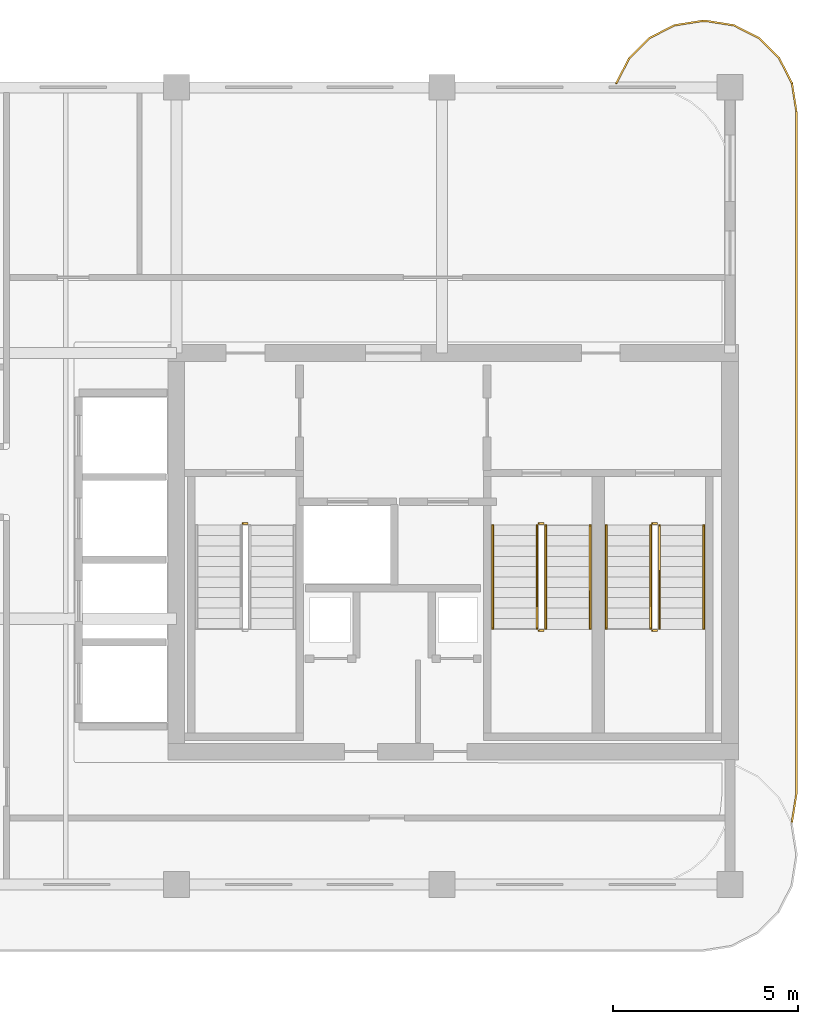
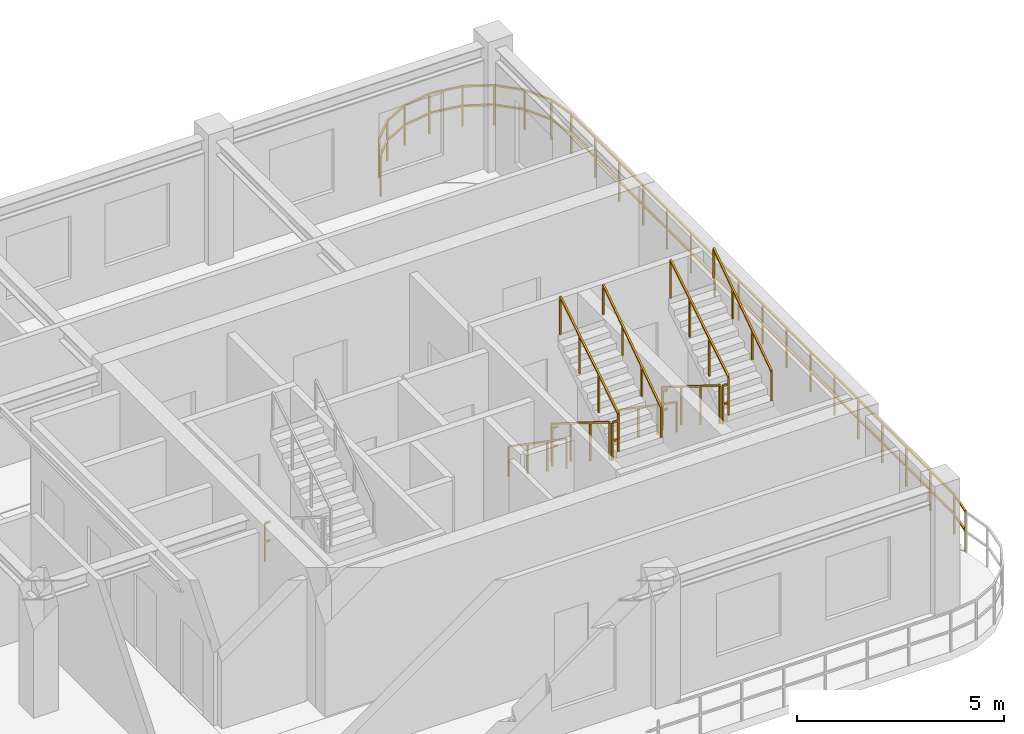
# One storey, part 7 of 7: 14 railings.
"""IFC4 building model written with IfcOpenShell, lengths in metres."""

from ifc_helpers import new_model, si_unit, derived_unit, direction, frame, origin, origin_2d, place, context, subcontext, project, spatial, rectangle, extrude, material, type_object, element, save


model = new_model("IFC4")

# Units and contexts
model_context = context("Model", 3, precision=1e-05, world=origin(), true_north=direction((0.0, 1.0)))
body_context = subcontext(model_context, "Body", "Model", "MODEL_VIEW")
ifc_project = project(units=[si_unit("LENGTHUNIT", "METRE"), si_unit("AREAUNIT", "SQUARE_METRE"), si_unit("VOLUMEUNIT", "CUBIC_METRE"), si_unit("PLANEANGLEUNIT", "RADIAN"), si_unit("MASSUNIT", "GRAM", prefix="KILO"), si_unit("THERMODYNAMICTEMPERATUREUNIT", "KELVIN"), si_unit("POWERUNIT", "WATT"), derived_unit("THERMALTRANSMITTANCEUNIT", [(si_unit("POWERUNIT", "WATT"), 1), (si_unit("AREAUNIT", "SQUARE_METRE"), -1), (si_unit("THERMODYNAMICTEMPERATUREUNIT", "KELVIN"), -1)])], contexts=[model_context])

# Site, building, storey
site_placement = place(None, origin())
site = spatial("IfcSite", under=ifc_project, at=site_placement, CompositionType="ELEMENT")
building_placement = place(site_placement, origin())
building = spatial("IfcBuilding", under=site, at=building_placement, Name="Zahravan Archway Hotel and Residences", CompositionType="ELEMENT")
storey_placement = place(building_placement, frame((0.0, 0.0, 275.050048828125)))
storey = spatial("IfcBuildingStorey", under=building, at=storey_placement, Name="L69", CompositionType="ELEMENT", Elevation=275.050048828125)

# Railings
ifc_material_1 = material(Name="Bronze & Laminated Glass Balustrade", Category="glass")
railing_type_1 = type_object("IfcRailingType", Name="RL-BAL-1200", PredefinedType="BALUSTRADE", material=ifc_material_1)
railing_1_placement = place(storey_placement, frame((46.719970703125, 21.70703125, 0.0)))
element("IfcRailing", 1, at=railing_1_placement, inside=storey, type_object=railing_type_1, Name="L69 Balustrade RL-SLB-BAL-L69-EA-1", PredefinedType="BALUSTRADE", context=body_context, shape_type="SweptSolid", body=[
    extrude(rectangle(XDim=0.048095703125, YDim=0.048095703125, at=origin_2d()), frame((0.0, 0.0, 1.17578125), z_axis=(0.453825591531, 0.891090529897, 0.0), x_axis=(-0.891090529897, 0.453825591531, 0.0)), (0.0, 0.0, 1.0), 0.7666015625),
    extrude(rectangle(XDim=0.048095703125, YDim=0.048095703125, at=origin_2d()), frame((0.0, 0.0, 0.60009765625), z_axis=(0.453825591531, 0.891090529897, 0.0), x_axis=(-0.891090529897, 0.453825591531, 0.0)), (0.0, 0.0, 1.0), 0.7666015625),
    extrude(rectangle(XDim=0.048095703125, YDim=0.048095703125, at=origin_2d()), frame((0.347900390625, 0.68310546875, 1.17578125), z_axis=(0.707106781187, 0.707106781187, 0.0), x_axis=(-0.707106781187, 0.707106781187, 0.0)), (0.0, 0.0, 1.0), 0.7666015625),
    extrude(rectangle(XDim=0.048095703125, YDim=0.048095703125, at=origin_2d()), frame((0.347900390625, 0.68310546875, 0.60009765625), z_axis=(0.707106781187, 0.707106781187, 0.0), x_axis=(-0.707106781187, 0.707106781187, 0.0)), (0.0, 0.0, 1.0), 0.7666015625),
    extrude(rectangle(XDim=0.048095703125, YDim=0.048095703125, at=origin_2d()), frame((0.889892578125, 1.22509765625, 1.17578125), z_axis=(0.891090529897, 0.453825591531, 0.0), x_axis=(-0.453825591531, 0.891090529897, 0.0)), (0.0, 0.0, 1.0), 0.7666015625),
    extrude(rectangle(XDim=0.048095703125, YDim=0.048095703125, at=origin_2d()), frame((0.889892578125, 1.22509765625, 0.60009765625), z_axis=(0.891090529897, 0.453825591531, 0.0), x_axis=(-0.453825591531, 0.891090529897, 0.0)), (0.0, 0.0, 1.0), 0.7666015625),
    extrude(rectangle(XDim=0.048095703125, YDim=0.048095703125, at=origin_2d()), frame((1.572998046875, 1.572998046875, 1.17578125), z_axis=(0.987695728695, 0.156387811283, 0.0), x_axis=(-0.156387811283, 0.987695728695, 0.0)), (0.0, 0.0, 1.0), 0.7666015625),
    extrude(rectangle(XDim=0.048095703125, YDim=0.048095703125, at=origin_2d()), frame((1.572998046875, 1.572998046875, 0.60009765625), z_axis=(0.987695728695, 0.156387811283, 0.0), x_axis=(-0.156387811283, 0.987695728695, 0.0)), (0.0, 0.0, 1.0), 0.7666015625),
    extrude(rectangle(XDim=0.048095703125, YDim=0.048095703125, at=origin_2d()), frame((2.330078125, 1.69287109375, 1.17578125), z_axis=(1.0, 0.0, 0.0), x_axis=(0.0, 1.0, 0.0)), (0.0, 0.0, 1.0), 0.099853515625),
    extrude(rectangle(XDim=0.048095703125, YDim=0.048095703125, at=origin_2d()), frame((2.330078125, 1.69287109375, 0.60009765625), z_axis=(1.0, 0.0, 0.0), x_axis=(0.0, 1.0, 0.0)), (0.0, 0.0, 1.0), 0.099853515625),
    extrude(rectangle(XDim=0.048095703125, YDim=0.048095703125, at=origin_2d()), frame((2.429931640625, 1.69287109375, 1.17578125), z_axis=(0.987695728695, -0.156387811283, 0.0), x_axis=(0.156387811283, 0.987695728695, 0.0)), (0.0, 0.0, 1.0), 0.7666015625),
    extrude(rectangle(XDim=0.048095703125, YDim=0.048095703125, at=origin_2d()), frame((2.429931640625, 1.69287109375, 0.60009765625), z_axis=(0.987695728695, -0.156387811283, 0.0), x_axis=(0.156387811283, 0.987695728695, 0.0)), (0.0, 0.0, 1.0), 0.7666015625),
    extrude(rectangle(XDim=0.048095703125, YDim=0.048095703125, at=origin_2d()), frame((3.18701171875, 1.572998046875, 1.17578125), z_axis=(0.891090529897, -0.453825591531, 0.0), x_axis=(0.453825591531, 0.891090529897, 0.0)), (0.0, 0.0, 1.0), 0.7666015625),
    extrude(rectangle(XDim=0.048095703125, YDim=0.048095703125, at=origin_2d()), frame((3.18701171875, 1.572998046875, 0.60009765625), z_axis=(0.891090529897, -0.453825591531, 0.0), x_axis=(0.453825591531, 0.891090529897, 0.0)), (0.0, 0.0, 1.0), 0.7666015625),
    extrude(rectangle(XDim=0.048095703125, YDim=0.048095703125, at=origin_2d()), frame((3.8701171875, 1.22509765625, 1.17578125), z_axis=(0.707106781187, -0.707106781187, 0.0), x_axis=(0.707106781187, 0.707106781187, 0.0)), (0.0, 0.0, 1.0), 0.7666015625),
    extrude(rectangle(XDim=0.048095703125, YDim=0.048095703125, at=origin_2d()), frame((3.8701171875, 1.22509765625, 0.60009765625), z_axis=(0.707106781187, -0.707106781187, 0.0), x_axis=(0.707106781187, 0.707106781187, 0.0)), (0.0, 0.0, 1.0), 0.7666015625),
    extrude(rectangle(XDim=0.048095703125, YDim=0.048095703125, at=origin_2d()), frame((4.412109375, 0.68310546875, 1.17578125), z_axis=(0.453825591531, -0.891090529897, 0.0), x_axis=(0.891090529897, 0.453825591531, 0.0)), (0.0, 0.0, 1.0), 0.7666015625),
    extrude(rectangle(XDim=0.048095703125, YDim=0.048095703125, at=origin_2d()), frame((4.412109375, 0.68310546875, 0.60009765625), z_axis=(0.453825591531, -0.891090529897, 0.0), x_axis=(0.891090529897, 0.453825591531, 0.0)), (0.0, 0.0, 1.0), 0.7666015625),
    extrude(rectangle(XDim=0.048095703125, YDim=0.048095703125, at=origin_2d()), frame((4.760009765625, 0.0, 1.17578125), z_axis=(0.156698507018, -0.987646484274, 0.0), x_axis=(0.987646484274, 0.156698507018, 0.0)), (0.0, 0.0, 1.0), 0.7666015625),
    extrude(rectangle(XDim=0.048095703125, YDim=0.048095703125, at=origin_2d()), frame((4.760009765625, 0.0, 0.60009765625), z_axis=(0.156698507018, -0.987646484274, 0.0), x_axis=(0.987646484274, 0.156698507018, 0.0)), (0.0, 0.0, 1.0), 0.7666015625),
    extrude(rectangle(XDim=0.048095703125, YDim=0.048095703125, at=origin_2d()), frame((4.880126953125, -0.757080078125, 1.17578125), z_axis=(0.0, -1.0, 0.0), x_axis=(1.0, 0.0, 0.0)), (0.0, 0.0, 1.0), 18.5),
    extrude(rectangle(XDim=0.048095703125, YDim=0.048095703125, at=origin_2d()), frame((4.880126953125, -0.757080078125, 0.60009765625), z_axis=(0.0, -1.0, 0.0), x_axis=(1.0, 0.0, 0.0)), (0.0, 0.0, 1.0), 18.5),
    extrude(rectangle(XDim=0.048095703125, YDim=0.048095703125, at=origin_2d()), frame((4.880126953125, -19.257080078125, 1.17578125), z_axis=(-0.156698507018, -0.987646484274, 0.0), x_axis=(0.987646484274, -0.156698507018, 0.0)), (0.0, 0.0, 1.0), 0.7666015625),
    extrude(rectangle(XDim=0.048095703125, YDim=0.048095703125, at=origin_2d()), frame((4.880126953125, -19.257080078125, 0.60009765625), z_axis=(-0.156698507018, -0.987646484274, 0.0), x_axis=(0.987646484274, -0.156698507018, 0.0)), (0.0, 0.0, 1.0), 0.7666015625),
    extrude(rectangle(XDim=0.0419921875, YDim=0.0419921875, at=origin_2d()), origin(), (0.0, 0.0, 1.0), 1.15185546875),
    extrude(rectangle(XDim=0.0419921875, YDim=0.0419921875, at=origin_2d()), frame((0.347900390625, 0.68310546875, 0.0)), (0.0, 0.0, 1.0), 1.15185546875),
    extrude(rectangle(XDim=0.0419921875, YDim=0.0419921875, at=origin_2d()), frame((0.889892578125, 1.22509765625, 0.0)), (0.0, 0.0, 1.0), 1.15185546875),
    extrude(rectangle(XDim=0.0419921875, YDim=0.0419921875, at=origin_2d()), frame((1.572998046875, 1.572998046875, 0.0)), (0.0, 0.0, 1.0), 1.15185546875),
    extrude(rectangle(XDim=0.0419921875, YDim=0.0419921875, at=origin_2d()), frame((2.330078125, 1.69287109375, 0.0)), (0.0, 0.0, 1.0), 1.15185546875),
    extrude(rectangle(XDim=0.0419921875, YDim=0.0419921875, at=origin_2d()), frame((3.18701171875, 1.572998046875, 0.0)), (0.0, 0.0, 1.0), 1.15185546875),
    extrude(rectangle(XDim=0.0419921875, YDim=0.0419921875, at=origin_2d()), frame((3.8701171875, 1.22509765625, 0.0)), (0.0, 0.0, 1.0), 1.15185546875),
    extrude(rectangle(XDim=0.0419921875, YDim=0.0419921875, at=origin_2d()), frame((4.412109375, 0.68310546875, 0.0)), (0.0, 0.0, 1.0), 1.15185546875),
    extrude(rectangle(XDim=0.0419921875, YDim=0.0419921875, at=origin_2d()), frame((4.760009765625, 0.0, 0.0)), (0.0, 0.0, 1.0), 1.15185546875),
    extrude(rectangle(XDim=0.0419921875, YDim=0.0419921875, at=origin_2d()), frame((4.880126953125, -0.757080078125, 0.0)), (0.0, 0.0, 1.0), 1.15185546875),
    extrude(rectangle(XDim=0.0419921875, YDim=0.0419921875, at=origin_2d()), frame((4.880126953125, -1.913330078125, 0.0)), (0.0, 0.0, 1.0), 1.15185546875),
    extrude(rectangle(XDim=0.0419921875, YDim=0.0419921875, at=origin_2d()), frame((4.880126953125, -3.069580078125, 0.0)), (0.0, 0.0, 1.0), 1.15185546875),
    extrude(rectangle(XDim=0.0419921875, YDim=0.0419921875, at=origin_2d()), frame((4.880126953125, -4.225830078125, 0.0)), (0.0, 0.0, 1.0), 1.15185546875),
    extrude(rectangle(XDim=0.0419921875, YDim=0.0419921875, at=origin_2d()), frame((4.880126953125, -5.382080078125, 0.0)), (0.0, 0.0, 1.0), 1.15185546875),
    extrude(rectangle(XDim=0.0419921875, YDim=0.0419921875, at=origin_2d()), frame((4.880126953125, -6.538330078125, 0.0)), (0.0, 0.0, 1.0), 1.15185546875),
    extrude(rectangle(XDim=0.0419921875, YDim=0.0419921875, at=origin_2d()), frame((4.880126953125, -7.694580078125, 0.0)), (0.0, 0.0, 1.0), 1.15185546875),
    extrude(rectangle(XDim=0.0419921875, YDim=0.0419921875, at=origin_2d()), frame((4.880126953125, -8.850830078125, 0.0)), (0.0, 0.0, 1.0), 1.15185546875),
    extrude(rectangle(XDim=0.0419921875, YDim=0.0419921875, at=origin_2d()), frame((4.880126953125, -10.007080078125, 0.0)), (0.0, 0.0, 1.0), 1.15185546875),
    extrude(rectangle(XDim=0.0419921875, YDim=0.0419921875, at=origin_2d()), frame((4.880126953125, -11.163330078125, 0.0)), (0.0, 0.0, 1.0), 1.15185546875),
    extrude(rectangle(XDim=0.0419921875, YDim=0.0419921875, at=origin_2d()), frame((4.880126953125, -12.319580078125, 0.0)), (0.0, 0.0, 1.0), 1.15185546875),
    extrude(rectangle(XDim=0.0419921875, YDim=0.0419921875, at=origin_2d()), frame((4.880126953125, -13.475830078125, 0.0)), (0.0, 0.0, 1.0), 1.15185546875),
    extrude(rectangle(XDim=0.0419921875, YDim=0.0419921875, at=origin_2d()), frame((4.880126953125, -14.632080078125, 0.0)), (0.0, 0.0, 1.0), 1.15185546875),
    extrude(rectangle(XDim=0.0419921875, YDim=0.0419921875, at=origin_2d()), frame((4.880126953125, -15.788330078125, 0.0)), (0.0, 0.0, 1.0), 1.15185546875),
    extrude(rectangle(XDim=0.0419921875, YDim=0.0419921875, at=origin_2d()), frame((4.880126953125, -16.944580078125, 0.0)), (0.0, 0.0, 1.0), 1.15185546875),
    extrude(rectangle(XDim=0.0419921875, YDim=0.0419921875, at=origin_2d()), frame((4.880126953125, -18.100830078125, 0.0)), (0.0, 0.0, 1.0), 1.15185546875),
    extrude(rectangle(XDim=0.0419921875, YDim=0.0419921875, at=origin_2d()), frame((4.880126953125, -19.257080078125, 0.0)), (0.0, 0.0, 1.0), 1.15185546875),
    extrude(rectangle(XDim=0.0419921875, YDim=0.0419921875, at=origin_2d()), frame((4.760009765625, -20.01416015625, 0.0)), (0.0, 0.0, 1.0), 1.15185546875),
])
ifc_material_2 = material(Name="Painted Tubular Steel", Category="steel")
railing_type_2 = type_object("IfcRailingType", Name="RL-STG-1150", PredefinedType="GUARDRAIL", material=ifc_material_2)
railing_2_placement = place(storey_placement, frame((36.60009765625, 9.780029296875, 0.0)))
element("IfcRailing", 2, at=railing_2_placement, inside=storey, type_object=railing_type_2, Name="L69 ST-A1 stair guard 4", PredefinedType="GUARDRAIL", context=body_context, shape_type="SweptSolid", body=[
    extrude(rectangle(XDim=0.048095703125, YDim=0.048095703125, at=origin_2d()), frame((0.0, 0.0, 1.1259765625), z_axis=(1.0, 0.0, 0.0), x_axis=(0.0, 1.0, 0.0)), (0.0, 0.0, 1.0), 0.139892578125),
    extrude(rectangle(XDim=0.048095703125, YDim=0.048095703125, at=origin_2d()), frame((0.0, 0.0, 0.574951171875), z_axis=(1.0, 0.0, 0.0), x_axis=(0.0, 1.0, 0.0)), (0.0, 0.0, 1.0), 0.139892578125),
    extrude(rectangle(XDim=0.0419921875, YDim=0.0419921875, at=origin_2d()), origin(), (0.0, 0.0, 1.0), 1.101806640625),
])
railing_3_placement = place(storey_placement, frame((44.570068359375, 9.72998046875, 0.175048828125)))
element("IfcRailing", 3, at=railing_3_placement, inside=storey, type_object=railing_type_2, Name="L69 ST-A2 stair guard 1", PredefinedType="GUARDRAIL", context=body_context, shape_type="SweptSolid", body=[
    extrude(rectangle(XDim=0.048095703125, YDim=0.048095703125, at=origin_2d()), frame((0.0, 0.0, 1.1259765625), z_axis=(0.0, -0.848002457836, 0.529992293815), x_axis=(1.0, 0.0, 0.0)), (0.0, 0.0, 1.0), 3.302001953125),
    extrude(rectangle(XDim=0.0419921875, YDim=0.0419921875, at=origin_2d()), origin(), (0.0, 0.0, 1.0), 1.101806640625),
    extrude(rectangle(XDim=0.0419921875, YDim=0.0419921875, at=origin_2d()), frame((0.0, -0.933349609375, 0.583251953125)), (0.0, 0.0, 1.0), 1.101806640625),
    extrude(rectangle(XDim=0.0419921875, YDim=0.0419921875, at=origin_2d()), frame((0.0, -1.86669921875, 1.166748046875)), (0.0, 0.0, 1.0), 1.101806640625),
    extrude(rectangle(XDim=0.0419921875, YDim=0.0419921875, at=origin_2d()), frame((0.0, -2.800048828125, 1.75)), (0.0, 0.0, 1.0), 1.101806640625),
])
railing_4_placement = place(storey_placement, frame((44.6201171875, 6.8798828125, 1.925048828125)))
element("IfcRailing", 4, at=railing_4_placement, inside=storey, type_object=railing_type_2, Name="L69 ST-A2 stair guard 2", PredefinedType="GUARDRAIL", context=body_context, shape_type="SweptSolid", body=[
    extrude(rectangle(XDim=0.048095703125, YDim=0.048095703125, at=origin_2d()), frame((0.0, 0.0, 1.1259765625), z_axis=(1.0, 0.0, 0.0), x_axis=(0.0, 1.0, 0.0)), (0.0, 0.0, 1.0), 0.139892578125),
    extrude(rectangle(XDim=0.048095703125, YDim=0.048095703125, at=origin_2d()), frame((0.0, 0.0, 0.574951171875), z_axis=(1.0, 0.0, 0.0), x_axis=(0.0, 1.0, 0.0)), (0.0, 0.0, 1.0), 0.139892578125),
    extrude(rectangle(XDim=0.0419921875, YDim=0.0419921875, at=origin_2d()), origin(), (0.0, 0.0, 1.0), 1.101806640625),
])
railing_5_placement = place(storey_placement, frame((44.81005859375, 6.929931640625, 2.099853515625)))
element("IfcRailing", 5, at=railing_5_placement, inside=storey, type_object=railing_type_2, Name="L69 ST-A2 stair guard 3", PredefinedType="GUARDRAIL", context=body_context, shape_type="SweptSolid", body=[
    extrude(rectangle(XDim=0.048095703125, YDim=0.048095703125, at=origin_2d()), frame((0.0, 0.0, 1.1259765625), z_axis=(0.0, 0.848002457836, 0.529992293815), x_axis=(-1.0, 0.0, 0.0)), (0.0, 0.0, 1.0), 3.302001953125),
    extrude(rectangle(XDim=0.0419921875, YDim=0.0419921875, at=origin_2d()), origin(), (0.0, 0.0, 1.0), 1.101806640625),
    extrude(rectangle(XDim=0.0419921875, YDim=0.0419921875, at=origin_2d()), frame((0.0, 0.933349609375, 0.583251953125)), (0.0, 0.0, 1.0), 1.101806640625),
    extrude(rectangle(XDim=0.0419921875, YDim=0.0419921875, at=origin_2d()), frame((0.0, 1.86669921875, 1.166748046875)), (0.0, 0.0, 1.0), 1.101806640625),
    extrude(rectangle(XDim=0.0419921875, YDim=0.0419921875, at=origin_2d()), frame((0.0, 2.800048828125, 1.75)), (0.0, 0.0, 1.0), 1.101806640625),
])
railing_6_placement = place(storey_placement, frame((44.6201171875, 9.780029296875, 0.0)))
element("IfcRailing", 6, at=railing_6_placement, inside=storey, type_object=railing_type_2, Name="L69 ST-A2 stair guard 4", PredefinedType="GUARDRAIL", context=body_context, shape_type="SweptSolid", body=[
    extrude(rectangle(XDim=0.048095703125, YDim=0.048095703125, at=origin_2d()), frame((0.0, 0.0, 1.1259765625), z_axis=(1.0, 0.0, 0.0), x_axis=(0.0, 1.0, 0.0)), (0.0, 0.0, 1.0), 0.139892578125),
    extrude(rectangle(XDim=0.048095703125, YDim=0.048095703125, at=origin_2d()), frame((0.0, 0.0, 0.574951171875), z_axis=(1.0, 0.0, 0.0), x_axis=(0.0, 1.0, 0.0)), (0.0, 0.0, 1.0), 0.139892578125),
    extrude(rectangle(XDim=0.0419921875, YDim=0.0419921875, at=origin_2d()), origin(), (0.0, 0.0, 1.0), 1.101806640625),
])
railing_7_placement = place(storey_placement, frame((47.64990234375, 9.72998046875, 0.175048828125)))
element("IfcRailing", 7, at=railing_7_placement, inside=storey, type_object=railing_type_2, Name="L69 ST-A3 stair guard 1", PredefinedType="GUARDRAIL", context=body_context, shape_type="SweptSolid", body=[
    extrude(rectangle(XDim=0.048095703125, YDim=0.048095703125, at=origin_2d()), frame((0.0, 0.0, 1.1259765625), z_axis=(0.0, -0.848002457836, 0.529992293815), x_axis=(1.0, 0.0, 0.0)), (0.0, 0.0, 1.0), 3.302001953125),
    extrude(rectangle(XDim=0.0419921875, YDim=0.0419921875, at=origin_2d()), origin(), (0.0, 0.0, 1.0), 1.101806640625),
    extrude(rectangle(XDim=0.0419921875, YDim=0.0419921875, at=origin_2d()), frame((0.0, -0.933349609375, 0.583251953125)), (0.0, 0.0, 1.0), 1.101806640625),
    extrude(rectangle(XDim=0.0419921875, YDim=0.0419921875, at=origin_2d()), frame((0.0, -1.86669921875, 1.166748046875)), (0.0, 0.0, 1.0), 1.101806640625),
    extrude(rectangle(XDim=0.0419921875, YDim=0.0419921875, at=origin_2d()), frame((0.0, -2.800048828125, 1.75)), (0.0, 0.0, 1.0), 1.101806640625),
])
railing_8_placement = place(storey_placement, frame((47.699951171875, 6.8798828125, 1.925048828125)))
element("IfcRailing", 8, at=railing_8_placement, inside=storey, type_object=railing_type_2, Name="L69 ST-A3 stair guard 2", PredefinedType="GUARDRAIL", context=body_context, shape_type="SweptSolid", body=[
    extrude(rectangle(XDim=0.048095703125, YDim=0.048095703125, at=origin_2d()), frame((0.0, 0.0, 1.1259765625), z_axis=(1.0, 0.0, 0.0), x_axis=(0.0, 1.0, 0.0)), (0.0, 0.0, 1.0), 0.14013671875),
    extrude(rectangle(XDim=0.048095703125, YDim=0.048095703125, at=origin_2d()), frame((0.0, 0.0, 0.574951171875), z_axis=(1.0, 0.0, 0.0), x_axis=(0.0, 1.0, 0.0)), (0.0, 0.0, 1.0), 0.14013671875),
    extrude(rectangle(XDim=0.0419921875, YDim=0.0419921875, at=origin_2d()), origin(), (0.0, 0.0, 1.0), 1.101806640625),
])
railing_9_placement = place(storey_placement, frame((47.889892578125, 6.929931640625, 2.099853515625)))
element("IfcRailing", 9, at=railing_9_placement, inside=storey, type_object=railing_type_2, Name="L69 ST-A3 stair guard 3", PredefinedType="GUARDRAIL", context=body_context, shape_type="SweptSolid", body=[
    extrude(rectangle(XDim=0.048095703125, YDim=0.048095703125, at=origin_2d()), frame((0.0, 0.0, 1.1259765625), z_axis=(0.0, 0.848002457836, 0.529992293815), x_axis=(-1.0, 0.0, 0.0)), (0.0, 0.0, 1.0), 3.302001953125),
    extrude(rectangle(XDim=0.0419921875, YDim=0.0419921875, at=origin_2d()), origin(), (0.0, 0.0, 1.0), 1.101806640625),
    extrude(rectangle(XDim=0.0419921875, YDim=0.0419921875, at=origin_2d()), frame((0.0, 0.933349609375, 0.583251953125)), (0.0, 0.0, 1.0), 1.101806640625),
    extrude(rectangle(XDim=0.0419921875, YDim=0.0419921875, at=origin_2d()), frame((0.0, 1.86669921875, 1.166748046875)), (0.0, 0.0, 1.0), 1.101806640625),
    extrude(rectangle(XDim=0.0419921875, YDim=0.0419921875, at=origin_2d()), frame((0.0, 2.800048828125, 1.75)), (0.0, 0.0, 1.0), 1.101806640625),
])
railing_10_placement = place(storey_placement, frame((47.699951171875, 9.780029296875, 0.0)))
element("IfcRailing", 10, at=railing_10_placement, inside=storey, type_object=railing_type_2, Name="L69 ST-A3 stair guard 4", PredefinedType="GUARDRAIL", context=body_context, shape_type="SweptSolid", body=[
    extrude(rectangle(XDim=0.048095703125, YDim=0.048095703125, at=origin_2d()), frame((0.0, 0.0, 1.1259765625), z_axis=(1.0, 0.0, 0.0), x_axis=(0.0, 1.0, 0.0)), (0.0, 0.0, 1.0), 0.14013671875),
    extrude(rectangle(XDim=0.048095703125, YDim=0.048095703125, at=origin_2d()), frame((0.0, 0.0, 0.574951171875), z_axis=(1.0, 0.0, 0.0), x_axis=(0.0, 1.0, 0.0)), (0.0, 0.0, 1.0), 0.14013671875),
    extrude(rectangle(XDim=0.0419921875, YDim=0.0419921875, at=origin_2d()), origin(), (0.0, 0.0, 1.0), 1.101806640625),
])
ifc_material_3 = material(Name="Brushed Stainless Steel", Category="steel")
railing_type_3 = type_object("IfcRailingType", Name="RL-STH-900", PredefinedType="HANDRAIL", material=ifc_material_3)
railing_11_placement = place(storey_placement, frame((43.3701171875, 9.72998046875, 0.175048828125)))
element("IfcRailing", 11, at=railing_11_placement, inside=storey, type_object=railing_type_3, Name="L69 ST-A2 stair handrail 1", PredefinedType="HANDRAIL", context=body_context, shape_type="SweptSolid", body=[
    extrude(rectangle(XDim=0.048095703125, YDim=0.048095703125, at=origin_2d()), frame((0.0, 0.0, 0.8759765625), z_axis=(0.0, -0.824073370198, 0.566483080534), x_axis=(1.0, 0.0, 0.0)), (0.0, 0.0, 1.0), 3.397705078125),
    extrude(rectangle(XDim=0.0419921875, YDim=0.0419921875, at=origin_2d()), origin(), (0.0, 0.0, 1.0), 0.851806640625),
    extrude(rectangle(XDim=0.0419921875, YDim=0.0419921875, at=origin_2d()), frame((0.0, -0.933349609375, 0.6416015625)), (0.0, 0.0, 1.0), 0.851806640625),
    extrude(rectangle(XDim=0.0419921875, YDim=0.0419921875, at=origin_2d()), frame((0.0, -1.86669921875, 1.283203125)), (0.0, 0.0, 1.0), 0.851806640625),
    extrude(rectangle(XDim=0.0419921875, YDim=0.0419921875, at=origin_2d()), frame((0.0, -2.800048828125, 1.9248046875)), (0.0, 0.0, 1.0), 0.851806640625),
])
railing_12_placement = place(storey_placement, frame((46.010009765625, 6.929931640625, 2.099853515625)))
element("IfcRailing", 12, at=railing_12_placement, inside=storey, type_object=railing_type_3, Name="L69 ST-A2 stair handrail 2", PredefinedType="HANDRAIL", context=body_context, shape_type="SweptSolid", body=[
    extrude(rectangle(XDim=0.048095703125, YDim=0.048095703125, at=origin_2d()), frame((0.0, 0.0, 0.8759765625), z_axis=(0.0, 0.824039827795, 0.566531872191), x_axis=(-1.0, 0.0, 0.0)), (0.0, 0.0, 1.0), 3.39794921875),
    extrude(rectangle(XDim=0.0419921875, YDim=0.0419921875, at=origin_2d()), origin(), (0.0, 0.0, 1.0), 0.851806640625),
    extrude(rectangle(XDim=0.0419921875, YDim=0.0419921875, at=origin_2d()), frame((0.0, 0.933349609375, 0.6416015625)), (0.0, 0.0, 1.0), 0.851806640625),
    extrude(rectangle(XDim=0.0419921875, YDim=0.0419921875, at=origin_2d()), frame((0.0, 1.86669921875, 1.283447265625)), (0.0, 0.0, 1.0), 0.851806640625),
    extrude(rectangle(XDim=0.0419921875, YDim=0.0419921875, at=origin_2d()), frame((0.0, 2.800048828125, 1.925048828125)), (0.0, 0.0, 1.0), 0.851806640625),
])
railing_13_placement = place(storey_placement, frame((46.449951171875, 9.72998046875, 0.175048828125)))
element("IfcRailing", 13, at=railing_13_placement, inside=storey, type_object=railing_type_3, Name="L69 ST-A3 stair handrail 1", PredefinedType="HANDRAIL", context=body_context, shape_type="SweptSolid", body=[
    extrude(rectangle(XDim=0.048095703125, YDim=0.048095703125, at=origin_2d()), frame((0.0, 0.0, 0.8759765625), z_axis=(0.0, -0.824073370198, 0.566483080534), x_axis=(1.0, 0.0, 0.0)), (0.0, 0.0, 1.0), 3.397705078125),
    extrude(rectangle(XDim=0.0419921875, YDim=0.0419921875, at=origin_2d()), origin(), (0.0, 0.0, 1.0), 0.851806640625),
    extrude(rectangle(XDim=0.0419921875, YDim=0.0419921875, at=origin_2d()), frame((0.0, -0.933349609375, 0.6416015625)), (0.0, 0.0, 1.0), 0.851806640625),
    extrude(rectangle(XDim=0.0419921875, YDim=0.0419921875, at=origin_2d()), frame((0.0, -1.86669921875, 1.283203125)), (0.0, 0.0, 1.0), 0.851806640625),
    extrude(rectangle(XDim=0.0419921875, YDim=0.0419921875, at=origin_2d()), frame((0.0, -2.800048828125, 1.9248046875)), (0.0, 0.0, 1.0), 0.851806640625),
])
railing_14_placement = place(storey_placement, frame((49.090087890625, 6.929931640625, 2.099853515625)))
element("IfcRailing", 14, at=railing_14_placement, inside=storey, type_object=railing_type_3, Name="L69 ST-A3 stair handrail 2", PredefinedType="HANDRAIL", context=body_context, shape_type="SweptSolid", body=[
    extrude(rectangle(XDim=0.048095703125, YDim=0.048095703125, at=origin_2d()), frame((0.0, 0.0, 0.8759765625), z_axis=(0.0, 0.824039827795, 0.566531872191), x_axis=(-1.0, 0.0, 0.0)), (0.0, 0.0, 1.0), 3.39794921875),
    extrude(rectangle(XDim=0.0419921875, YDim=0.0419921875, at=origin_2d()), origin(), (0.0, 0.0, 1.0), 0.851806640625),
    extrude(rectangle(XDim=0.0419921875, YDim=0.0419921875, at=origin_2d()), frame((0.0, 0.933349609375, 0.6416015625)), (0.0, 0.0, 1.0), 0.851806640625),
    extrude(rectangle(XDim=0.0419921875, YDim=0.0419921875, at=origin_2d()), frame((0.0, 1.86669921875, 1.283447265625)), (0.0, 0.0, 1.0), 0.851806640625),
    extrude(rectangle(XDim=0.0419921875, YDim=0.0419921875, at=origin_2d()), frame((0.0, 2.800048828125, 1.925048828125)), (0.0, 0.0, 1.0), 0.851806640625),
])

save(model, "model.ifc")
